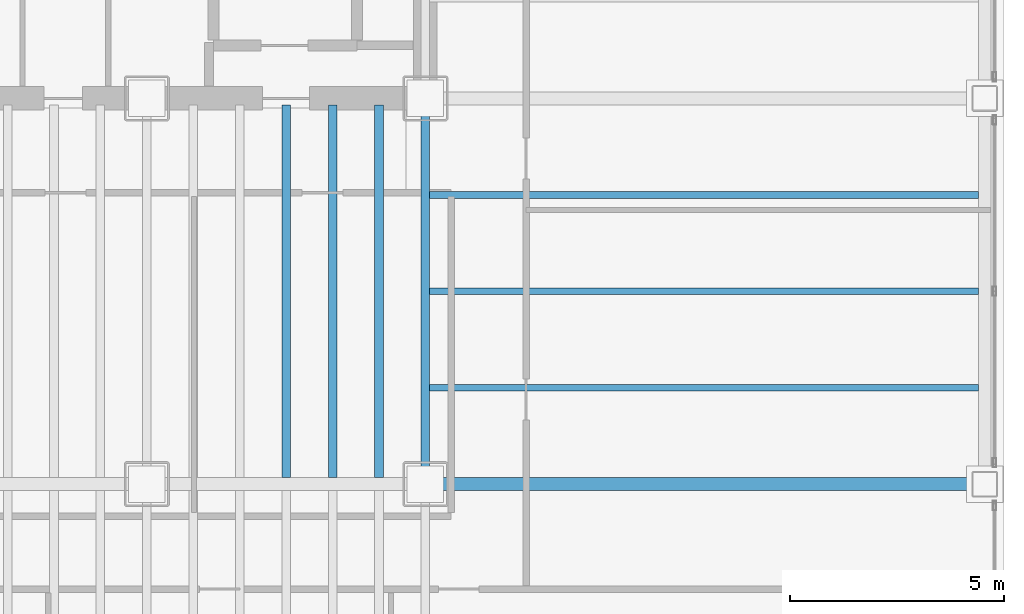
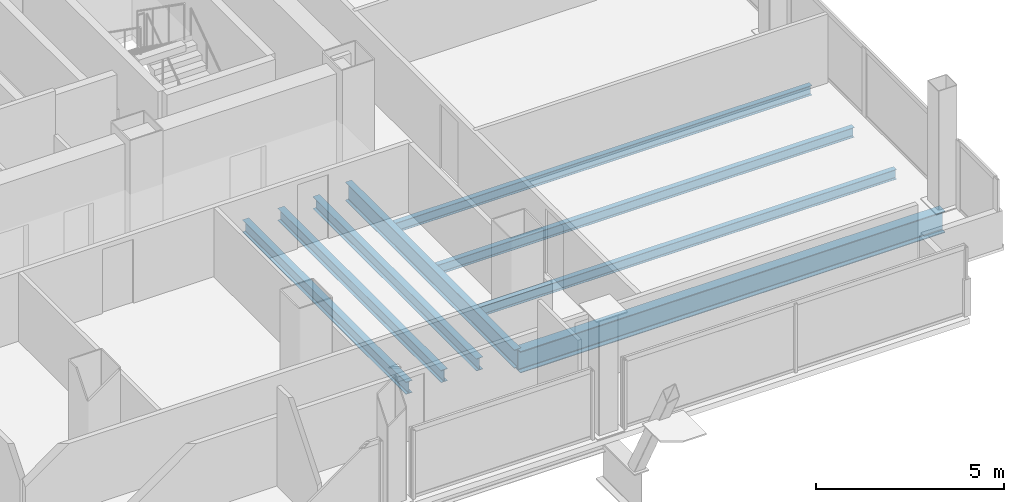
# One storey, part 9 of 21: 8 beams.
"""IFC4 building model written with IfcOpenShell, lengths in metres."""

import ifcopenshell
import ifcopenshell.guid

model = None  # the IFC model being written
_history = None  # IfcOwnerHistory: only IFC2X3 demands one
_inside = {}  # id of a spatial element -> (the spatial element, [elements in it])
_under = {}  # id of a project, library or spatial element -> (it, [spatial elements below it])
_declared = {}  # id of a project -> (the project, [libraries it declares])
_typed = {}  # id of a type object -> (the type object, [elements of that type])
_made_of = {}  # id of a material, layer set ... -> (it, [elements and type objects made of it])


def new_model(schema):
    """Start an empty IFC model of exactly this schema.

    Asked for "IFC4X3", IfcOpenShell would pick the latest addendum, in which some entities
    have other attributes; the version numbers below select the first issue.
    IFC2X3 requires an IfcOwnerHistory on every rooted entity: one is made here for all.
    """
    global model, _history
    if schema == "IFC4X3":
        model = ifcopenshell.file(schema_version=(4, 3, 0, 0))
    else:
        model = ifcopenshell.file(schema=schema)
    _inside.clear()
    _under.clear()
    _declared.clear()
    _typed.clear()
    _made_of.clear()
    _history = None
    if model.schema == "IFC2X3":
        org = make("IfcOrganization", Name="unknown")
        user = make(
            "IfcPersonAndOrganization",
            ThePerson=make("IfcPerson", FamilyName="unknown"),
            TheOrganization=org,
        )
        app = make(
            "IfcApplication",
            ApplicationDeveloper=org,
            Version="unknown",
            ApplicationFullName="unknown",
            ApplicationIdentifier="unknown",
        )
        _history = make(
            "IfcOwnerHistory",
            OwningUser=user,
            OwningApplication=app,
            ChangeAction="ADDED",
            CreationDate=0,
        )
    return model


def make(cls, **values):
    """One entity of the class cls with the attributes given. An attribute that is None is left unset."""
    return model.create_entity(
        cls, **{name: value for name, value in values.items() if value is not None}
    )


def rooted(cls, **values):
    """An entity with a GlobalId (a new one), such as an element, a storey or a relation."""
    return make(cls, GlobalId=ifcopenshell.guid.new(), OwnerHistory=_history, **values)


def si_unit(unit_type, name, prefix=None):
    """IfcSIUnit, for example si_unit("LENGTHUNIT", "METRE", prefix="MILLI")."""
    return make("IfcSIUnit", UnitType=unit_type, Prefix=prefix, Name=name)


def assignment(units):
    """IfcUnitAssignment: the units of a project."""
    return None if units is None else make("IfcUnitAssignment", Units=units)


def point(xyz):
    """IfcCartesianPoint."""
    return None if xyz is None else make("IfcCartesianPoint", Coordinates=xyz)


def direction(xyz):
    """IfcDirection."""
    return None if xyz is None else make("IfcDirection", DirectionRatios=xyz)


def frame(location, z_axis=None, x_axis=None):
    """IfcAxis2Placement3D, a coordinate frame: its origin and axes. An axis left out is left unset."""
    return make(
        "IfcAxis2Placement3D",
        Location=point(location),
        Axis=direction(z_axis),
        RefDirection=direction(x_axis),
    )


def frame_2d(location, x_axis=None):
    """IfcAxis2Placement2D, a coordinate frame in the plane: its origin and x axis."""
    return make(
        "IfcAxis2Placement2D", Location=point(location), RefDirection=direction(x_axis)
    )


def origin():
    """The frame at (0, 0, 0) with its axes left unset."""
    return frame((0.0, 0.0, 0.0))


def origin_2d():
    """The frame at (0, 0) in the plane with its x axis left unset."""
    return frame_2d((0.0, 0.0))


def place(relative_to, where):
    """IfcLocalPlacement: puts the frame where relative to a parent placement (None: the world)."""
    return make(
        "IfcLocalPlacement", PlacementRelTo=relative_to, RelativePlacement=where
    )


def context(
    kind, dimensions, precision=None, world=None, true_north=None, identifier=None
):
    """IfcGeometricRepresentationContext, for example the 3D "Model" context."""
    return make(
        "IfcGeometricRepresentationContext",
        ContextIdentifier=identifier,
        ContextType=kind,
        CoordinateSpaceDimension=dimensions,
        Precision=precision,
        WorldCoordinateSystem=world,
        TrueNorth=true_north,
    )


def subcontext(parent, identifier, kind, view, scale=None):
    """IfcGeometricRepresentationSubContext, for example "Body" below "Model"."""
    return make(
        "IfcGeometricRepresentationSubContext",
        ContextIdentifier=identifier,
        ContextType=kind,
        ParentContext=parent,
        TargetScale=scale,
        TargetView=view,
    )


def project(units=None, contexts=None):
    """IfcProject with its units and contexts."""
    return rooted(
        "IfcProject",
        Name="project",
        RepresentationContexts=contexts,
        UnitsInContext=assignment(units),
    )


def spatial(cls, under=None, at=None, **own):
    """A site, building, storey or space (cls), placed at a placement, below another one or the project."""
    s = rooted(cls, ObjectPlacement=at, **own)
    if under is not None:
        _under.setdefault(under.id(), (under, []))[1].append(s)
    return s


def profile(cls, at=None, kind="AREA", **sizes):
    """A parametric profile (cls). Its sizes go by their IFC names, for example OverallWidth=200.0."""
    return make(cls, ProfileType=kind, Position=at, **sizes)


def i_section(**sizes):
    """IfcIShapeProfileDef."""
    return profile("IfcIShapeProfileDef", **sizes)


def extrude(swept, where, along, depth):
    """IfcExtrudedAreaSolid: the profile swept, set in the frame where, extruded along a direction by depth."""
    return make(
        "IfcExtrudedAreaSolid",
        SweptArea=swept,
        Position=where,
        ExtrudedDirection=direction(along),
        Depth=depth,
    )


def shape(context_of_items, identifier, shape_type, items):
    """IfcShapeRepresentation: the items that make up one representation, for example the "Body"."""
    return make(
        "IfcShapeRepresentation",
        ContextOfItems=context_of_items,
        RepresentationIdentifier=identifier,
        RepresentationType=shape_type,
        Items=items,
    )


def material(Name=None, Category=None):
    """IfcMaterial."""
    return make("IfcMaterial", Name=Name, Category=Category)


def material_profile(
    of_material, cross_section, Name=None, Category=None, Priority=None
):
    """IfcMaterialProfile: a cross section and its material."""
    return make(
        "IfcMaterialProfile",
        Name=Name,
        Material=of_material,
        Profile=cross_section,
        Priority=Priority,
        Category=Category,
    )


def profile_set(profiles, Name=None, composite=None):
    """IfcMaterialProfileSet."""
    return make(
        "IfcMaterialProfileSet",
        Name=Name,
        MaterialProfiles=profiles,
        CompositeProfile=composite,
    )


def made_of(thing, what):
    """Note that an element or type object is made of a material, layer set ...; save() writes the relation."""
    if what is not None:
        _made_of.setdefault(what.id(), (what, []))[1].append(thing)
    return thing


def type_object(cls, material=None, **own):
    """A type object (cls), such as IfcWallType, which elements share."""
    return made_of(rooted(cls, **own), material)


def element(
    cls,
    number,
    at=None,
    inside=None,
    cuts=None,
    type_object=None,
    material=None,
    context=None,
    identifier="Body",
    shape_type=None,
    held_by="IfcProductDefinitionShape",
    body=None,
    shapes=None,
    **own,
):
    """One element of the class cls, such as IfcWall. Its Tag is "e" and its number.

    at: its placement. inside: the storey or other place that contains it. cuts: it is an
    opening in that element (IfcRelVoidsElement). A single representation is given by context,
    identifier, shape_type and body (its items); several are given by shapes. held_by: the class
    of the entity that holds the representations. save() writes the other relations.
    """
    e = rooted(cls, Tag="e%d" % number, ObjectPlacement=at, **own)
    if body is not None:
        shapes = [shape(context, identifier, shape_type, body)]
    if shapes is not None:
        e.Representation = make(held_by, Representations=shapes)
    if inside is not None:
        _inside.setdefault(inside.id(), (inside, []))[1].append(e)
    if cuts is not None:
        rooted(
            "IfcRelVoidsElement", RelatingBuildingElement=cuts, RelatedOpeningElement=e
        )
    if type_object is not None:
        _typed.setdefault(type_object.id(), (type_object, []))[1].append(e)
    return made_of(e, material)


def aggregate(whole, parts):
    """IfcRelAggregates: a whole, such as a stair, and the parts it consists of."""
    return rooted("IfcRelAggregates", RelatingObject=whole, RelatedObjects=parts)


def save(model, path):
    """Write the relations noted so far, then the file.

    IfcRelAggregates (storeys below a building ...), IfcRelContainedInSpatialStructure (elements
    in a storey), IfcRelDefinesByType, IfcRelAssociatesMaterial and IfcRelDeclares: one each for
    every whole, place, type object, material and project.
    """
    for whole, parts in _under.values():
        aggregate(whole, parts)
    for where, things in _inside.values():
        rooted(
            "IfcRelContainedInSpatialStructure",
            RelatedElements=things,
            RelatingStructure=where,
        )
    for kind, things in _typed.values():
        rooted("IfcRelDefinesByType", RelatedObjects=things, RelatingType=kind)
    for what, things in _made_of.values():
        rooted("IfcRelAssociatesMaterial", RelatedObjects=things, RelatingMaterial=what)
    for by, libraries in _declared.values():
        rooted("IfcRelDeclares", RelatingContext=by, RelatedDefinitions=libraries)
    model.write(path)


model = new_model("IFC4")

# Units and contexts
model_context = context("Model", 3, precision=1e-05, world=origin(), true_north=direction((0.0, 1.0)))
body_context = subcontext(model_context, "Body", "Model", "MODEL_VIEW")
ifc_project = project(units=[si_unit("LENGTHUNIT", "METRE"), si_unit("AREAUNIT", "SQUARE_METRE"), si_unit("VOLUMEUNIT", "CUBIC_METRE"), si_unit("PLANEANGLEUNIT", "RADIAN"), si_unit("MASSUNIT", "GRAM", prefix="KILO")], contexts=[model_context])

# Site, building, storey
site_placement = place(None, origin())
site = spatial("IfcSite", under=ifc_project, at=site_placement, CompositionType="ELEMENT")
building_placement = place(site_placement, origin())
building = spatial("IfcBuilding", under=site, at=building_placement, Name="Noeulbin Bourse Tower", CompositionType="ELEMENT")
storey_placement = place(building_placement, frame((0.0, 0.0, 77.199951171875)))
storey = spatial("IfcBuildingStorey", under=building, at=storey_placement, Name="L19", CompositionType="ELEMENT", Elevation=77.199951171875)

# Beams
ifc_material = material(Name="Steel S355", Category="steel")
ifc_material_profile_1 = material_profile(ifc_material, i_section(OverallWidth=0.199951171875, OverallDepth=0.60009765625, WebThickness=0.010986328125, FlangeThickness=0.01708984375, FilletRadius=0.02197265625, at=origin_2d()), Name="H-600x200x11x17", Category="LoadBearing")
ifc_profile_set_1 = profile_set([ifc_material_profile_1], Name="Steel S355")
beam_type_1 = type_object("IfcBeamType", Name="BM-GRD-600", PredefinedType="USERDEFINED", material=ifc_profile_set_1)
beam_1_placement = place(storey_placement, frame((44.0, 20.0, -0.47998046875), z_axis=(0.0, 1.0, 0.0), x_axis=(-1.0, 0.0, 0.0)))
element("IfcBeam", 1, at=beam_1_placement, inside=storey, type_object=beam_type_1, Name="Tower Primary Girder NS L19-5.2", ObjectType="GIRDER", PredefinedType="USERDEFINED", context=body_context, shape_type="SweptSolid", body=[
    extrude(i_section(OverallWidth=0.199951171875, OverallDepth=0.60009765625, WebThickness=0.010986328125, FlangeThickness=0.01708984375, FilletRadius=0.02197265625, at=origin_2d()), origin(), (0.0, 0.0, 1.0), 9.0),
])
ifc_material_profile_2 = material_profile(ifc_material, i_section(OverallWidth=0.300048828125, OverallDepth=0.699951171875, WebThickness=0.012939453125, FlangeThickness=0.02392578125, FilletRadius=0.02392578125, at=origin_2d()), Name="H-700x300x13x24", Category="LoadBearing")
ifc_profile_set_2 = profile_set([ifc_material_profile_2], Name="Steel S355")
beam_type_2 = type_object("IfcBeamType", Name="BM-GRD-700", PredefinedType="USERDEFINED", material=ifc_profile_set_2)
beam_2_placement = place(storey_placement, frame((44.0, 20.0, -0.530029296875), z_axis=(1.0, 0.0, 0.0), x_axis=(0.0, 1.0, 0.0)))
element("IfcBeam", 2, at=beam_2_placement, inside=storey, type_object=beam_type_2, Name="Tower Primary Girder EW L19-1.6", ObjectType="GIRDER", PredefinedType="USERDEFINED", context=body_context, shape_type="SweptSolid", body=[
    extrude(i_section(OverallWidth=0.300048828125, OverallDepth=0.699951171875, WebThickness=0.012939453125, FlangeThickness=0.02392578125, FilletRadius=0.02392578125, at=origin_2d()), origin(), (0.0, 0.0, 1.0), 13.050048828125),
])
ifc_material_profile_3 = material_profile(ifc_material, i_section(OverallWidth=0.159912109375, OverallDepth=0.320068359375, WebThickness=0.006591796875, FlangeThickness=0.010009765625, FilletRadius=0.012939453125, at=origin_2d()), Name="H-320x160x6.5x10", Category="LoadBearing")
ifc_profile_set_3 = profile_set([ifc_material_profile_3], Name="Steel S355")
beam_type_3 = type_object("IfcBeamType", Name="BM-JST-320", PredefinedType="JOIST", material=ifc_profile_set_3)
for number, where, z_axis, x_axis, name in (
    (3, (44.10009765625, 22.25, -0.33984375), (1.0, 0.0, 0.0), (0.0, 1.0, 0.0), "Wing Composite Joist L19-E76"),
    (4, (44.10009765625, 24.5, -0.33984375), (1.0, 0.0, 0.0), (0.0, 1.0, 0.0), "Wing Composite Joist L19-E77"),
    (5, (44.10009765625, 26.75, -0.33984375), (1.0, 0.0, 0.0), (0.0, 1.0, 0.0), "Wing Composite Joist L19-E78"),
):
    element("IfcBeam", number, at=place(storey_placement, frame(where, z_axis=z_axis, x_axis=x_axis)), inside=storey, type_object=beam_type_3, Name=name, PredefinedType="JOIST", context=body_context, shape_type="SweptSolid", body=[
        extrude(i_section(OverallWidth=0.159912109375, OverallDepth=0.320068359375, WebThickness=0.006591796875, FlangeThickness=0.010009765625, FilletRadius=0.012939453125, at=origin_2d()), origin(), (0.0, 0.0, 1.0), 12.7998046875),
    ])
ifc_material_profile_4 = material_profile(ifc_material, i_section(OverallWidth=0.199951171875, OverallDepth=0.39990234375, WebThickness=0.008056640625, FlangeThickness=0.012939453125, FilletRadius=0.01611328125, at=origin_2d()), Name="H-400x200x8x13", Category="LoadBearing")
ifc_profile_set_4 = profile_set([ifc_material_profile_4], Name="Steel S355")
beam_type_4 = type_object("IfcBeamType", Name="BM-SEC-400", PredefinedType="BEAM", material=ifc_profile_set_4)
for number, where, z_axis, x_axis, name in (
    (6, (40.75, 20.14990234375, -0.3798828125), (0.0, 1.0, 0.0), (-1.0, 0.0, 0.0), "Tower Composite Joist L19-62"),
    (7, (41.833251953125, 20.14990234375, -0.3798828125), (0.0, 1.0, 0.0), (-1.0, 0.0, 0.0), "Tower Composite Joist L19-65"),
    (8, (42.916748046875, 20.14990234375, -0.3798828125), (0.0, 1.0, 0.0), (-1.0, 0.0, 0.0), "Tower Composite Joist L19-68"),
):
    element("IfcBeam", number, at=place(storey_placement, frame(where, z_axis=z_axis, x_axis=x_axis)), inside=storey, type_object=beam_type_4, Name=name, PredefinedType="BEAM", context=body_context, shape_type="SweptSolid", body=[
        extrude(i_section(OverallWidth=0.199951171875, OverallDepth=0.39990234375, WebThickness=0.008056640625, FlangeThickness=0.012939453125, FilletRadius=0.01611328125, at=origin_2d()), origin(), (0.0, 0.0, 1.0), 8.7001953125),
    ])

save(model, "model.ifc")
